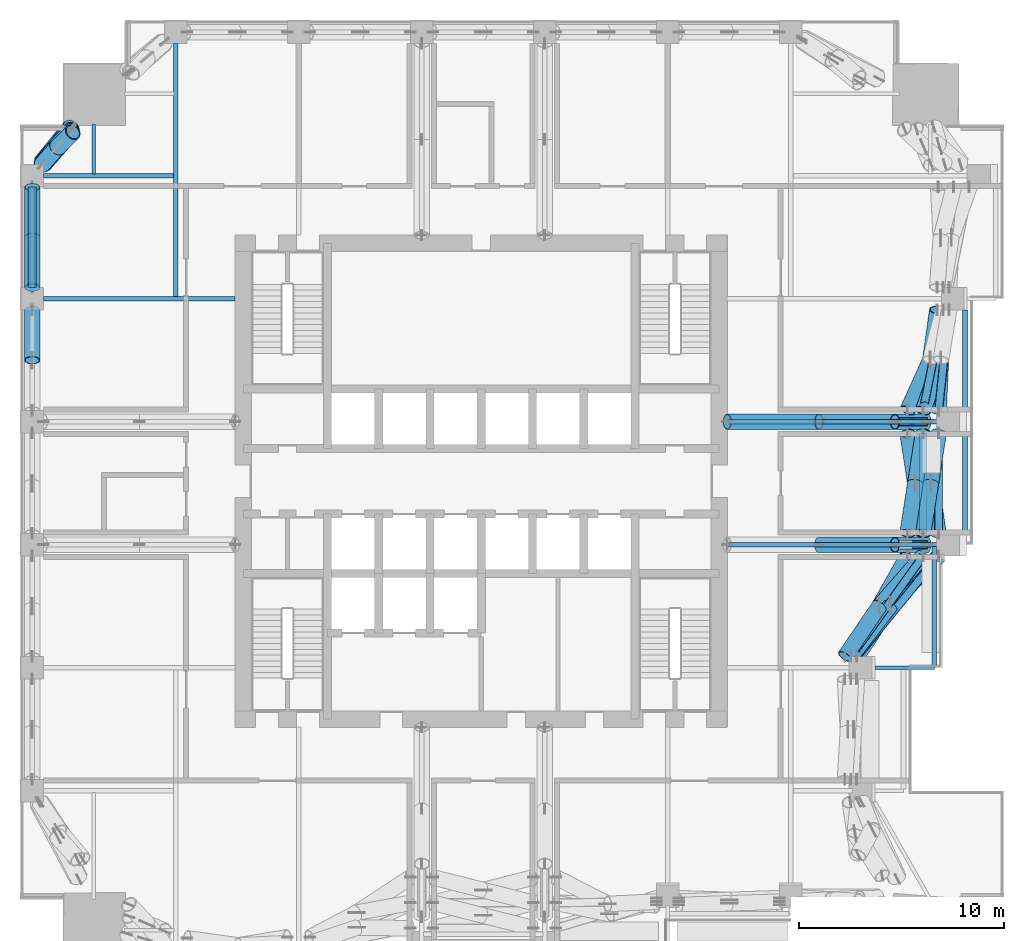
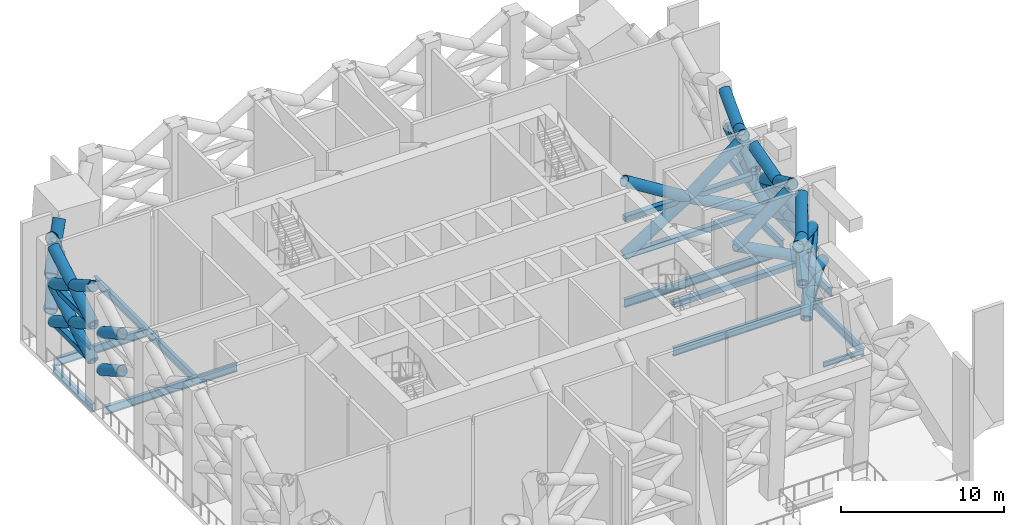
# One storey, part 4 of 19: 36 members, 24 beams.
"""IFC4 building model written with IfcOpenShell, lengths in metres."""

from ifc_helpers import new_model, si_unit, direction, frame, origin, origin_2d, place, context, subcontext, project, spatial, hollow_rectangle, hollow_circle, i_section, extrude, material, material_profile, profile_set, type_object, element, save


model = new_model("IFC4")

# Units and contexts
model_context = context("Model", 3, precision=1e-05, world=origin(), true_north=direction((0.0, 1.0)))
body_context = subcontext(model_context, "Body", "Model", "MODEL_VIEW")
ifc_project = project(units=[si_unit("LENGTHUNIT", "METRE"), si_unit("AREAUNIT", "SQUARE_METRE"), si_unit("VOLUMEUNIT", "CUBIC_METRE"), si_unit("PLANEANGLEUNIT", "RADIAN"), si_unit("MASSUNIT", "GRAM", prefix="KILO")], contexts=[model_context])

# Site, building, storey
site_placement = place(None, origin())
site = spatial("IfcSite", under=ifc_project, at=site_placement, CompositionType="ELEMENT")
building_placement = place(site_placement, origin())
building = spatial("IfcBuilding", under=site, at=building_placement, Name="Amberfall Residences", CompositionType="ELEMENT")
storey_placement = place(building_placement, frame((0.0, 0.0, 124.89990234375)))
storey = spatial("IfcBuildingStorey", under=building, at=storey_placement, Name="L34", CompositionType="ELEMENT", Elevation=124.89990234375)

# Beams
ifc_material = material(Name="Steel S355", Category="steel")
ifc_material_profile_1 = material_profile(ifc_material, hollow_circle(Radius=0.457275390625, WallThickness=0.06005859375, at=origin_2d()), Name="CHS 914.4x60")
ifc_profile_set_1 = profile_set([ifc_material_profile_1], Name="Steel S355")
beam_type_1 = type_object("IfcBeamType", Name="Belt truss chord BT CHS 914.4x60", PredefinedType="BEAM", material=ifc_profile_set_1)
beam_1_placement = place(storey_placement, frame((54.516845703125, 62.7685546875, 3.0), z_axis=(-0.62906312707, -0.777354219234, 0.0), x_axis=(0.777354219234, -0.62906312707, 0.0)))
element("IfcBeam", 1, at=beam_1_placement, inside=storey, type_object=beam_type_1, Name="Belt truss chord BT2 L34 NWW", PredefinedType="BEAM", context=body_context, shape_type="SweptSolid", body=[
    extrude(hollow_circle(Radius=0.457275390625, WallThickness=0.06005859375, at=origin_2d()), origin(), (0.0, 0.0, 1.0), 2.339599609375),
])
beam_2_placement = place(storey_placement, frame((54.550537109375, 62.647216796875, 5.646484375), z_axis=(-0.655484550141, -0.755208583457, 0.0), x_axis=(0.755208583457, -0.655484550141, 0.0)))
element("IfcBeam", 2, at=beam_2_placement, inside=storey, type_object=beam_type_1, Name="Belt truss chord BT2 L34 NWWm", PredefinedType="BEAM", context=body_context, shape_type="SweptSolid", body=[
    extrude(hollow_circle(Radius=0.457275390625, WallThickness=0.06005859375, at=origin_2d()), origin(), (0.0, 0.0, 1.0), 2.247314453125),
])
ifc_material_profile_2 = material_profile(ifc_material, hollow_rectangle(XDim=0.39990234375, YDim=0.39990234375, WallThickness=0.02001953125, InnerFilletRadius=0.02001953125, OuterFilletRadius=0.030029296875, at=origin_2d()), Name="RHS 400x400x20")
ifc_profile_set_2 = profile_set([ifc_material_profile_2], Name="Steel S355")
beam_type_2 = type_object("IfcBeamType", Name="Belt truss chord BT RHS 400x400x20", PredefinedType="BEAM", material=ifc_profile_set_2)
beam_3_placement = place(storey_placement, frame((92.821533203125, 36.949951171875, 2.900146484375), z_axis=(0.631297882766, 0.775540445893, 0.0), x_axis=(-0.775540445893, 0.631297882766, 0.0)))
element("IfcBeam", 3, at=beam_3_placement, inside=storey, type_object=beam_type_2, Name="Belt truss chord BT3 L34 E2", PredefinedType="BEAM", context=body_context, shape_type="SweptSolid", body=[
    extrude(hollow_rectangle(XDim=0.39990234375, YDim=0.39990234375, WallThickness=0.02001953125, InnerFilletRadius=0.02001953125, OuterFilletRadius=0.030029296875, at=origin_2d()), origin(), (0.0, 0.0, 1.0), 6.318359375),
])
beam_4_placement = place(storey_placement, frame((92.53369140625, 36.949951171875, 5.7001953125), z_axis=(0.58336835757, 0.812207707047, 0.0), x_axis=(-0.812207707047, 0.58336835757, 0.0)))
element("IfcBeam", 4, at=beam_4_placement, inside=storey, type_object=beam_type_2, Name="Belt truss chord BT3 L34 E2m", PredefinedType="BEAM", context=body_context, shape_type="SweptSolid", body=[
    extrude(hollow_rectangle(XDim=0.39990234375, YDim=0.39990234375, WallThickness=0.02001953125, InnerFilletRadius=0.02001953125, OuterFilletRadius=0.030029296875, at=origin_2d()), origin(), (0.0, 0.0, 1.0), 6.033203125),
])
for number, where, z_axis, x_axis, name in (
    (5, (96.810302734375, 42.949951171875, 2.900146484375), (0.0, 1.0, 0.0), (-1.0, 0.0, 0.0), "Belt truss chord BT3 L34 E3"),
    (6, (96.05322265625, 42.949951171875, 5.7001953125), (0.0, 1.0, 0.0), (-1.0, 0.0, 0.0), "Belt truss chord BT3 L34 E3m"),
):
    element("IfcBeam", number, at=place(storey_placement, frame(where, z_axis=z_axis, x_axis=x_axis)), inside=storey, type_object=beam_type_2, Name=name, PredefinedType="BEAM", context=body_context, shape_type="SweptSolid", body=[
        extrude(hollow_rectangle(XDim=0.39990234375, YDim=0.39990234375, WallThickness=0.02001953125, InnerFilletRadius=0.02001953125, OuterFilletRadius=0.030029296875, at=origin_2d()), origin(), (0.0, 0.0, 1.0), 4.900146484375),
    ])
beam_5_placement = place(storey_placement, frame((96.810302734375, 48.949951171875, 2.900146484375), z_axis=(0.103766426496, 0.99460169351, 0.0), x_axis=(-0.99460169351, 0.103766426496, 0.0)))
element("IfcBeam", 7, at=beam_5_placement, inside=storey, type_object=beam_type_2, Name="Belt truss chord BT3 L34 E4", PredefinedType="BEAM", context=body_context, shape_type="SweptSolid", body=[
    extrude(hollow_rectangle(XDim=0.39990234375, YDim=0.39990234375, WallThickness=0.02001953125, InnerFilletRadius=0.02001953125, OuterFilletRadius=0.030029296875, at=origin_2d()), origin(), (0.0, 0.0, 1.0), 4.9267578125),
])
beam_6_placement = place(storey_placement, frame((96.05322265625, 48.949951171875, 5.7001953125), z_axis=(0.196200690713, 0.980563760784, 0.0), x_axis=(-0.980563760784, 0.196200690713, 0.0)))
element("IfcBeam", 8, at=beam_6_placement, inside=storey, type_object=beam_type_2, Name="Belt truss chord BT3 L34 E4m", PredefinedType="BEAM", context=body_context, shape_type="SweptSolid", body=[
    extrude(hollow_rectangle(XDim=0.39990234375, YDim=0.39990234375, WallThickness=0.02001953125, InnerFilletRadius=0.02001953125, OuterFilletRadius=0.030029296875, at=origin_2d()), origin(), (0.0, 0.0, 1.0), 4.997314453125),
])
for number, where, z_axis, x_axis, name in (
    (9, (52.60009765625, 54.949951171875, 2.900146484375), (0.0, 1.0, 0.0), (-1.0, 0.0, 0.0), "Belt truss chord BT3 L34 W5"),
    (10, (52.60009765625, 54.949951171875, 5.7001953125), (0.0, 1.0, 0.0), (-1.0, 0.0, 0.0), "Belt truss chord BT3 L34 W5m"),
):
    element("IfcBeam", number, at=place(storey_placement, frame(where, z_axis=z_axis, x_axis=x_axis)), inside=storey, type_object=beam_type_2, Name=name, PredefinedType="BEAM", context=body_context, shape_type="SweptSolid", body=[
        extrude(hollow_rectangle(XDim=0.39990234375, YDim=0.39990234375, WallThickness=0.02001953125, InnerFilletRadius=0.02001953125, OuterFilletRadius=0.030029296875, at=origin_2d()), origin(), (0.0, 0.0, 1.0), 4.900146484375),
    ])

# Members
ifc_material_profile_3 = material_profile(ifc_material, hollow_circle(Radius=0.381103515625, WallThickness=0.0400390625, at=origin_2d()), Name="CHS 762x40")
ifc_profile_set_3 = profile_set([ifc_material_profile_3], Name="Steel S355")
member_type_1 = type_object("IfcMemberType", Name="Belt truss diagonal BT CHS 762x40", PredefinedType="BRACE", material=ifc_profile_set_3)
member_1_placement = place(storey_placement, frame((92.821533203125, 36.949951171875, 2.900146484375), z_axis=(0.496915343761, 0.753462859004, 0.430544842306), x_axis=(-0.834797896039, 0.550556511876, 0.0)))
element("IfcMember", 11, at=member_1_placement, inside=storey, type_object=member_type_1, Name="Belt truss diagonal BT4 L34 E2d", PredefinedType="BRACE", context=body_context, shape_type="SweptSolid", body=[
    extrude(hollow_circle(Radius=0.381103515625, WallThickness=0.0400390625, at=origin_2d()), origin(), (0.0, 0.0, 1.0), 6.50341796875),
])
member_2_placement = place(storey_placement, frame((92.53369140625, 36.949951171875, 5.7001953125), z_axis=(0.56094259354, 0.723305733883, -0.402706123724), x_axis=(-0.790213655451, 0.612831443987, 0.0)))
element("IfcMember", 12, at=member_2_placement, inside=storey, type_object=member_type_1, Name="Belt truss diagonal BT4 L34 E2e", PredefinedType="BRACE", context=body_context, shape_type="SweptSolid", body=[
    extrude(hollow_circle(Radius=0.381103515625, WallThickness=0.0400390625, at=origin_2d()), origin(), (0.0, 0.0, 1.0), 3.431396484375),
])
member_3_placement = place(storey_placement, frame((94.45849609375, 39.431884765625, 4.318359375), z_axis=(0.642702654356, 0.660850180774, -0.387569782949), x_axis=(-0.716881364711, 0.697195172767, 0.0)))
element("IfcMember", 13, at=member_3_placement, inside=storey, type_object=member_type_1, Name="Belt truss diagonal BT4 L34 E2e2", PredefinedType="BRACE", context=body_context, shape_type="SweptSolid", body=[
    extrude(hollow_circle(Radius=0.381103515625, WallThickness=0.0400390625, at=origin_2d()), origin(), (0.0, 0.0, 1.0), 3.6591796875),
])
member_4_placement = place(storey_placement, frame((92.53369140625, 36.949951171875, 5.7001953125), z_axis=(0.439672060785, 0.779838983034, 0.445577871428), x_axis=(-0.871091783775, 0.491120254357, 0.0)))
element("IfcMember", 14, at=member_4_placement, inside=storey, type_object=member_type_1, Name="Belt truss diagonal BT4 L34 E2du", PredefinedType="BRACE", context=body_context, shape_type="SweptSolid", body=[
    extrude(hollow_circle(Radius=0.381103515625, WallThickness=0.0400390625, at=origin_2d()), origin(), (0.0, 0.0, 1.0), 6.283447265625),
])
member_5_placement = place(storey_placement, frame((92.24560546875, 36.949951171875, 8.5), z_axis=(0.510507325748, 0.750632927745, -0.419443057092), x_axis=(-0.826887092018, 0.562367972998, 0.0)))
element("IfcMember", 15, at=member_5_placement, inside=storey, type_object=member_type_1, Name="Belt truss diagonal BT4 L34 E2eu", PredefinedType="BRACE", context=body_context, shape_type="SweptSolid", body=[
    extrude(hollow_circle(Radius=0.381103515625, WallThickness=0.0400390625, at=origin_2d()), origin(), (0.0, 0.0, 1.0), 3.30029296875),
])
member_6_placement = place(storey_placement, frame((93.930419921875, 39.42724609375, 7.11572265625), z_axis=(0.603316882419, 0.688593069709, -0.402303770473), x_axis=(-0.752144594216, 0.658998110309, 0.0)))
element("IfcMember", 16, at=member_6_placement, inside=storey, type_object=member_type_1, Name="Belt truss diagonal BT4 L34 E2e2u", PredefinedType="BRACE", context=body_context, shape_type="SweptSolid", body=[
    extrude(hollow_circle(Radius=0.381103515625, WallThickness=0.0400390625, at=origin_2d()), origin(), (0.0, 0.0, 1.0), 3.5185546875),
])
member_7_placement = place(storey_placement, frame((96.810302734375, 42.949951171875, 2.900146484375), z_axis=(-0.132954375526, 0.860537655975, 0.49172967846), x_axis=(-0.98827415579, -0.152689858856, 0.0)))
element("IfcMember", 17, at=member_7_placement, inside=storey, type_object=member_type_1, Name="Belt truss diagonal BT4 L34 E3d", PredefinedType="BRACE", context=body_context, shape_type="SweptSolid", body=[
    extrude(hollow_circle(Radius=0.381103515625, WallThickness=0.0400390625, at=origin_2d()), origin(), (0.0, 0.0, 1.0), 5.6943359375),
])
for number, where, z_axis, x_axis, name in (
    (18, (96.05322265625, 42.949951171875, 5.7001953125), (0.132914359886, 0.860513291259, -0.491783131576), (-0.988280437465, 0.152649195622, 0.0), "Belt truss diagonal BT4 L34 E3e"),
    (19, (96.431640625, 45.39990234375, 4.300048828125), (0.132994388773, 0.860562015295, -0.491676225159), (-0.988267873148, 0.152730517263, 0.0), "Belt truss diagonal BT4 L34 E3e2"),
):
    element("IfcMember", number, at=place(storey_placement, frame(where, z_axis=z_axis, x_axis=x_axis)), inside=storey, type_object=member_type_1, Name=name, PredefinedType="BRACE", context=body_context, shape_type="SweptSolid", body=[
        extrude(hollow_circle(Radius=0.381103515625, WallThickness=0.0400390625, at=origin_2d()), origin(), (0.0, 0.0, 1.0), 2.84716796875),
    ])
member_8_placement = place(storey_placement, frame((96.05322265625, 42.949951171875, 5.7001953125), z_axis=(-0.132915060532, 0.860560703208, 0.491699972318), x_axis=(-0.9882815848, -0.15264176737, 0.0)))
element("IfcMember", 20, at=member_8_placement, inside=storey, type_object=member_type_1, Name="Belt truss diagonal BT4 L34 E3du", PredefinedType="BRACE", context=body_context, shape_type="SweptSolid", body=[
    extrude(hollow_circle(Radius=0.381103515625, WallThickness=0.0400390625, at=origin_2d()), origin(), (0.0, 0.0, 1.0), 5.694091796875),
])
member_9_placement = place(storey_placement, frame((95.29638671875, 42.949951171875, 8.5), z_axis=(0.132919964882, 0.860549579091, -0.491718115247), x_axis=(-0.988280437465, 0.152649195622, 0.0)))
element("IfcMember", 21, at=member_9_placement, inside=storey, type_object=member_type_1, Name="Belt truss diagonal BT4 L34 E3eu", PredefinedType="BRACE", context=body_context, shape_type="SweptSolid", body=[
    extrude(hollow_circle(Radius=0.381103515625, WallThickness=0.0400390625, at=origin_2d()), origin(), (0.0, 0.0, 1.0), 2.846923828125),
])
member_10_placement = place(storey_placement, frame((95.6748046875, 45.39990234375, 7.10009765625), z_axis=(0.132910156481, 0.860571826094, -0.491681830493), x_axis=(-0.988282731967, 0.152634339831, 0.0)))
element("IfcMember", 22, at=member_10_placement, inside=storey, type_object=member_type_1, Name="Belt truss diagonal BT4 L34 E3e2u", PredefinedType="BRACE", context=body_context, shape_type="SweptSolid", body=[
    extrude(hollow_circle(Radius=0.381103515625, WallThickness=0.0400390625, at=origin_2d()), origin(), (0.0, 0.0, 1.0), 2.84716796875),
])
member_11_placement = place(storey_placement, frame((96.810302734375, 48.949951171875, 2.900146484375), z_axis=(0.039550760172, 0.867566456181, 0.495746085693), x_axis=(-0.99896247666, 0.045540863243, 0.0)))
element("IfcMember", 23, at=member_11_placement, inside=storey, type_object=member_type_1, Name="Belt truss diagonal BT4 L34 E4d", PredefinedType="BRACE", context=body_context, shape_type="SweptSolid", body=[
    extrude(hollow_circle(Radius=0.381103515625, WallThickness=0.0400390625, at=origin_2d()), origin(), (0.0, 0.0, 1.0), 5.648193359375),
])
member_12_placement = place(storey_placement, frame((96.05322265625, 48.949951171875, 5.7001953125), z_axis=(0.293412634072, 0.833202917923, -0.468702382895), x_axis=(-0.943224229603, 0.332156668892, 0.0)))
element("IfcMember", 24, at=member_12_placement, inside=storey, type_object=member_type_1, Name="Belt truss diagonal BT4 L34 E4e", PredefinedType="BRACE", context=body_context, shape_type="SweptSolid", body=[
    extrude(hollow_circle(Radius=0.381103515625, WallThickness=0.0400390625, at=origin_2d()), origin(), (0.0, 0.0, 1.0), 2.9638671875),
])
member_13_placement = place(storey_placement, frame((96.05322265625, 48.949951171875, 5.7001953125), z_axis=(0.121771372391, 0.8618029673, 0.492409766778), x_axis=(-0.990164417067, 0.139908638673, 0.0)))
element("IfcMember", 25, at=member_13_placement, inside=storey, type_object=member_type_1, Name="Belt truss diagonal BT4 L34 E4du", PredefinedType="BRACE", context=body_context, shape_type="SweptSolid", body=[
    extrude(hollow_circle(Radius=0.381103515625, WallThickness=0.0400390625, at=origin_2d()), origin(), (0.0, 0.0, 1.0), 5.68603515625),
])
member_14_placement = place(storey_placement, frame((95.29638671875, 48.949951171875, 8.5), z_axis=(0.363869089882, 0.810117562482, -0.459683391462), x_axis=(-0.912209425601, 0.409724253425, 0.0)))
element("IfcMember", 26, at=member_14_placement, inside=storey, type_object=member_type_1, Name="Belt truss diagonal BT4 L34 E4eu", PredefinedType="BRACE", context=body_context, shape_type="SweptSolid", body=[
    extrude(hollow_circle(Radius=0.381103515625, WallThickness=0.0400390625, at=origin_2d()), origin(), (0.0, 0.0, 1.0), 3.03466796875),
])
for number, where, z_axis, x_axis, name in (
    (27, (52.60009765625, 51.39990234375, 4.300048828125), (0.0, 0.868275084713, -0.49608303465), (-1.0, 0.0, 0.0), "Belt truss diagonal BT4 L34 W4e2"),
    (28, (52.60009765625, 51.39990234375, 7.10009765625), (0.0, 0.868275084713, -0.49608303465), (-1.0, 0.0, 0.0), "Belt truss diagonal BT4 L34 W4e2u"),
):
    element("IfcMember", number, at=place(storey_placement, frame(where, z_axis=z_axis, x_axis=x_axis)), inside=storey, type_object=member_type_1, Name=name, PredefinedType="BRACE", context=body_context, shape_type="SweptSolid", body=[
        extrude(hollow_circle(Radius=0.381103515625, WallThickness=0.0400390625, at=origin_2d()), origin(), (0.0, 0.0, 1.0), 2.822021484375),
    ])
member_15_placement = place(storey_placement, frame((52.60009765625, 54.949951171875, 2.900146484375), z_axis=(0.0, 0.868245804187, 0.496134279718), x_axis=(-1.0, 0.0, 0.0)))
element("IfcMember", 29, at=member_15_placement, inside=storey, type_object=member_type_1, Name="Belt truss diagonal BT4 L34 W5d", PredefinedType="BRACE", context=body_context, shape_type="SweptSolid", body=[
    extrude(hollow_circle(Radius=0.381103515625, WallThickness=0.0400390625, at=origin_2d()), origin(), (0.0, 0.0, 1.0), 5.643798828125),
])
member_16_placement = place(storey_placement, frame((52.60009765625, 54.949951171875, 5.7001953125), z_axis=(0.0, 0.868216519694, -0.496185524708), x_axis=(-1.0, 0.0, 0.0)))
element("IfcMember", 30, at=member_16_placement, inside=storey, type_object=member_type_1, Name="Belt truss diagonal BT4 L34 W5e", PredefinedType="BRACE", context=body_context, shape_type="SweptSolid", body=[
    extrude(hollow_circle(Radius=0.381103515625, WallThickness=0.0400390625, at=origin_2d()), origin(), (0.0, 0.0, 1.0), 2.82177734375),
])
member_17_placement = place(storey_placement, frame((52.60009765625, 57.39990234375, 4.300048828125), z_axis=(0.0, 0.868275084713, -0.49608303465), x_axis=(-1.0, 0.0, 0.0)))
element("IfcMember", 31, at=member_17_placement, inside=storey, type_object=member_type_1, Name="Belt truss diagonal BT4 L34 W5e2", PredefinedType="BRACE", context=body_context, shape_type="SweptSolid", body=[
    extrude(hollow_circle(Radius=0.381103515625, WallThickness=0.0400390625, at=origin_2d()), origin(), (0.0, 0.0, 1.0), 2.822021484375),
])
member_18_placement = place(storey_placement, frame((52.60009765625, 54.949951171875, 5.7001953125), z_axis=(0.0, 0.868264438383, 0.496101668047), x_axis=(-1.0, 0.0, 0.0)))
element("IfcMember", 32, at=member_18_placement, inside=storey, type_object=member_type_1, Name="Belt truss diagonal BT4 L34 W5du", PredefinedType="BRACE", context=body_context, shape_type="SweptSolid", body=[
    extrude(hollow_circle(Radius=0.381103515625, WallThickness=0.0400390625, at=origin_2d()), origin(), (0.0, 0.0, 1.0), 5.6435546875),
])
member_19_placement = place(storey_placement, frame((52.60009765625, 54.949951171875, 8.5), z_axis=(0.0, 0.868253790854, -0.496120302616), x_axis=(-1.0, 0.0, 0.0)))
element("IfcMember", 33, at=member_19_placement, inside=storey, type_object=member_type_1, Name="Belt truss diagonal BT4 L34 W5eu", PredefinedType="BRACE", context=body_context, shape_type="SweptSolid", body=[
    extrude(hollow_circle(Radius=0.381103515625, WallThickness=0.0400390625, at=origin_2d()), origin(), (0.0, 0.0, 1.0), 2.82177734375),
])
member_20_placement = place(storey_placement, frame((52.60009765625, 57.39990234375, 7.10009765625), z_axis=(0.0, 0.868275084713, -0.49608303465), x_axis=(-1.0, 0.0, 0.0)))
element("IfcMember", 34, at=member_20_placement, inside=storey, type_object=member_type_1, Name="Belt truss diagonal BT4 L34 W5e2u", PredefinedType="BRACE", context=body_context, shape_type="SweptSolid", body=[
    extrude(hollow_circle(Radius=0.381103515625, WallThickness=0.0400390625, at=origin_2d()), origin(), (0.0, 0.0, 1.0), 2.822021484375),
])
ifc_material_profile_4 = material_profile(ifc_material, hollow_circle(Radius=0.406494140625, WallThickness=0.050048828125, at=origin_2d()), Name="CHS 813x50")
ifc_profile_set_4 = profile_set([ifc_material_profile_4], Name="Steel S355")
member_type_2 = type_object("IfcMemberType", Name="Belt truss diagonal BT CHS 813x50", PredefinedType="BRACE", material=ifc_profile_set_4)
member_21_placement = place(storey_placement, frame((54.516845703125, 62.7685546875, 3.0), z_axis=(-0.409054024214, -0.516798410172, 0.752059976676), x_axis=(0.784103451686, -0.620630145139, 0.0)))
element("IfcMember", 35, at=member_21_placement, inside=storey, type_object=member_type_2, Name="Belt truss diagonal BT5 L34 NWWd", PredefinedType="BRACE", context=body_context, shape_type="SweptSolid", body=[
    extrude(hollow_circle(Radius=0.406494140625, WallThickness=0.050048828125, at=origin_2d()), origin(), (0.0, 0.0, 1.0), 3.51904296875),
])
member_22_placement = place(storey_placement, frame((54.550537109375, 62.647216796875, 5.646484375), z_axis=(-0.449432180659, -0.472003790495, -0.758434662148), x_axis=(0.724210904157, -0.689578542517, 0.0)))
element("IfcMember", 36, at=member_22_placement, inside=storey, type_object=member_type_2, Name="Belt truss diagonal BT5 L34 NWWe", PredefinedType="BRACE", context=body_context, shape_type="SweptSolid", body=[
    extrude(hollow_circle(Radius=0.406494140625, WallThickness=0.050048828125, at=origin_2d()), origin(), (0.0, 0.0, 1.0), 1.708984375),
])
member_23_placement = place(storey_placement, frame((53.782470703125, 61.840576171875, 4.350341796875), z_axis=(-0.414749619184, -0.500995566484, -0.759596074075), x_axis=(0.770294173094, -0.637688706892, 0.0)))
element("IfcMember", 37, at=member_23_placement, inside=storey, type_object=member_type_2, Name="Belt truss diagonal BT5 L34 NWWe2", PredefinedType="BRACE", context=body_context, shape_type="SweptSolid", body=[
    extrude(hollow_circle(Radius=0.406494140625, WallThickness=0.050048828125, at=origin_2d()), origin(), (0.0, 0.0, 1.0), 1.77783203125),
])
member_24_placement = place(storey_placement, frame((54.550537109375, 62.647216796875, 5.646484375), z_axis=(-0.416287524651, -0.49084648429, 0.765359017507), x_axis=(0.762653434366, -0.64680734307, 0.0)))
element("IfcMember", 38, at=member_24_placement, inside=storey, type_object=member_type_2, Name="Belt truss diagonal BT5 L34 NWWdu", PredefinedType="BRACE", context=body_context, shape_type="SweptSolid", body=[
    extrude(hollow_circle(Radius=0.406494140625, WallThickness=0.050048828125, at=origin_2d()), origin(), (0.0, 0.0, 1.0), 3.457763671875),
])
member_25_placement = place(storey_placement, frame((54.57763671875, 62.528076171875, 8.29296875), z_axis=(-0.454130017702, -0.445547804043, -0.771526461849), x_axis=(0.700329679647, -0.713819542886, 0.0)))
element("IfcMember", 39, at=member_25_placement, inside=storey, type_object=member_type_2, Name="Belt truss diagonal BT5 L34 NWWeu", PredefinedType="BRACE", context=body_context, shape_type="SweptSolid", body=[
    extrude(hollow_circle(Radius=0.406494140625, WallThickness=0.050048828125, at=origin_2d()), origin(), (0.0, 0.0, 1.0), 1.678466796875),
])
member_26_placement = place(storey_placement, frame((53.8154296875, 61.7802734375, 6.998046875), z_axis=(-0.421848800688, -0.474597344075, -0.772528931727), x_axis=(0.747421443536, -0.664350198121, 0.0)))
element("IfcMember", 40, at=member_26_placement, inside=storey, type_object=member_type_2, Name="Belt truss diagonal BT5 L34 NWWe2u", PredefinedType="BRACE", context=body_context, shape_type="SweptSolid", body=[
    extrude(hollow_circle(Radius=0.406494140625, WallThickness=0.050048828125, at=origin_2d()), origin(), (0.0, 0.0, 1.0), 1.74951171875),
])

# Beams
ifc_material_profile_5 = material_profile(ifc_material, i_section(OverallWidth=0.171142578125, OverallDepth=0.351318359375, WebThickness=0.007080078125, FlangeThickness=0.009765625, FilletRadius=0.01025390625, at=origin_2d()), Name="UB 356x171x45")
ifc_profile_set_5 = profile_set([ifc_material_profile_5], Name="Steel S355")
beam_type_3 = type_object("IfcBeamType", Name="Cantilever girder UB 356x171x45", PredefinedType="BEAM", material=ifc_profile_set_5)
beam_7_placement = place(storey_placement, frame((93.699951171875, 36.39990234375, -0.525634765625), z_axis=(1.0, 0.0, 0.0), x_axis=(0.0, 1.0, 0.0)))
element("IfcBeam", 41, at=beam_7_placement, inside=storey, type_object=beam_type_3, Name="Cantilever girder B8 L34 21", PredefinedType="BEAM", context=body_context, shape_type="SweptSolid", body=[
    extrude(i_section(OverallWidth=0.171142578125, OverallDepth=0.351318359375, WebThickness=0.007080078125, FlangeThickness=0.009765625, FilletRadius=0.01025390625, at=origin_2d()), origin(), (0.0, 0.0, 1.0), 2.900146484375),
])
ifc_material_profile_6 = material_profile(ifc_material, i_section(OverallWidth=0.228271484375, OverallDepth=0.607666015625, WebThickness=0.010986328125, FlangeThickness=0.017333984375, FilletRadius=0.0126953125, at=origin_2d()), Name="UB 610x229x113")
ifc_profile_set_6 = profile_set([ifc_material_profile_6], Name="Steel S355")
beam_type_4 = type_object("IfcBeamType", Name="Edge beam UB 610x229x113", PredefinedType="SPANDREL", material=ifc_profile_set_6)
beam_8_placement = place(storey_placement, frame((96.60009765625, 36.47998046875, -0.65380859375), z_axis=(0.0, 1.0, 0.0), x_axis=(-1.0, 0.0, 0.0)))
element("IfcBeam", 42, at=beam_8_placement, inside=storey, type_object=beam_type_4, Name="Edge beam B12 L34 16", PredefinedType="SPANDREL", context=body_context, shape_type="SweptSolid", body=[
    extrude(i_section(OverallWidth=0.228271484375, OverallDepth=0.607666015625, WebThickness=0.010986328125, FlangeThickness=0.017333984375, FilletRadius=0.0126953125, at=origin_2d()), origin(), (0.0, 0.0, 1.0), 5.840087890625),
])
for number, where, z_axis, x_axis, name in (
    (43, (98.10009765625, 42.949951171875, -0.65380859375), (0.0, 1.0, 0.0), (-1.0, 0.0, 0.0), "Edge beam B12 L34 17"),
    (44, (98.10009765625, 48.949951171875, -0.65380859375), (0.0, 1.0, 0.0), (-1.0, 0.0, 0.0), "Edge beam B12 L34 18"),
    (45, (52.60009765625, 54.949951171875, -0.65380859375), (0.0, 1.0, 0.0), (-1.0, 0.0, 0.0), "Edge beam B12 L34 44"),
):
    element("IfcBeam", number, at=place(storey_placement, frame(where, z_axis=z_axis, x_axis=x_axis)), inside=storey, type_object=beam_type_4, Name=name, PredefinedType="SPANDREL", context=body_context, shape_type="SweptSolid", body=[
        extrude(i_section(OverallWidth=0.228271484375, OverallDepth=0.607666015625, WebThickness=0.010986328125, FlangeThickness=0.017333984375, FilletRadius=0.0126953125, at=origin_2d()), origin(), (0.0, 0.0, 1.0), 4.900146484375),
    ])
ifc_material_profile_7 = material_profile(ifc_material, i_section(OverallWidth=0.230224609375, OverallDepth=0.6171875, WebThickness=0.01318359375, FlangeThickness=0.022216796875, FilletRadius=0.0126953125, at=origin_2d()), Name="UB 610x229x140")
ifc_profile_set_7 = profile_set([ifc_material_profile_7], Name="Steel S355")
beam_type_5 = type_object("IfcBeamType", Name="Floor girder UB 610x229x140", PredefinedType="BEAM", material=ifc_profile_set_7)
for number, where, z_axis, x_axis, name in (
    (46, (97.10009765625, 42.39990234375, -0.658447265625), (-1.0, 0.0, 0.0), (0.0, -1.0, 0.0), "Floor girder B13 L34 25"),
    (47, (97.10009765625, 48.39990234375, -0.658447265625), (-1.0, 0.0, 0.0), (0.0, -1.0, 0.0), "Floor girder B13 L34 26"),
):
    element("IfcBeam", number, at=place(storey_placement, frame(where, z_axis=z_axis, x_axis=x_axis)), inside=storey, type_object=beam_type_5, Name=name, PredefinedType="BEAM", context=body_context, shape_type="SweptSolid", body=[
        extrude(i_section(OverallWidth=0.230224609375, OverallDepth=0.6171875, WebThickness=0.01318359375, FlangeThickness=0.022216796875, FilletRadius=0.0126953125, at=origin_2d()), origin(), (0.0, 0.0, 1.0), 10.60009765625),
    ])
beam_9_placement = place(storey_placement, frame((59.60009765625, 66.85009765625, -0.658447265625), z_axis=(0.0, -1.0, 0.0), x_axis=(1.0, 0.0, 0.0)))
element("IfcBeam", 48, at=beam_9_placement, inside=storey, type_object=beam_type_5, Name="Floor girder B13 L34 34", PredefinedType="BEAM", context=body_context, shape_type="SweptSolid", body=[
    extrude(i_section(OverallWidth=0.230224609375, OverallDepth=0.6171875, WebThickness=0.01318359375, FlangeThickness=0.022216796875, FilletRadius=0.0126953125, at=origin_2d()), origin(), (0.0, 0.0, 1.0), 12.340087890625),
])
beam_10_placement = place(storey_placement, frame((53.14990234375, 54.39990234375, -0.658447265625), z_axis=(1.0, 0.0, 0.0), x_axis=(0.0, 1.0, 0.0)))
element("IfcBeam", 49, at=beam_10_placement, inside=storey, type_object=beam_type_5, Name="Floor girder B13 L34 49", PredefinedType="BEAM", context=body_context, shape_type="SweptSolid", body=[
    extrude(i_section(OverallWidth=0.230224609375, OverallDepth=0.6171875, WebThickness=0.01318359375, FlangeThickness=0.022216796875, FilletRadius=0.0126953125, at=origin_2d()), origin(), (0.0, 0.0, 1.0), 9.35009765625),
])
beam_11_placement = place(storey_placement, frame((53.14990234375, 60.39990234375, -0.658447265625), z_axis=(1.0, 0.0, 0.0), x_axis=(0.0, 1.0, 0.0)))
element("IfcBeam", 50, at=beam_11_placement, inside=storey, type_object=beam_type_5, Name="Floor girder B13 L34 50", PredefinedType="BEAM", context=body_context, shape_type="SweptSolid", body=[
    extrude(i_section(OverallWidth=0.230224609375, OverallDepth=0.6171875, WebThickness=0.01318359375, FlangeThickness=0.022216796875, FilletRadius=0.0126953125, at=origin_2d()), origin(), (0.0, 0.0, 1.0), 6.330078125),
])
ifc_material_profile_8 = material_profile(ifc_material, i_section(OverallWidth=0.171142578125, OverallDepth=0.351318359375, WebThickness=0.007080078125, FlangeThickness=0.009765625, FilletRadius=0.01025390625, at=origin_2d()), Name="UB 356x171x45")
ifc_profile_set_8 = profile_set([ifc_material_profile_8], Name="Steel S355")
beam_type_6 = type_object("IfcBeamType", Name="Link beam UB 356x171x45", PredefinedType="BEAM", material=ifc_profile_set_8)
beam_12_placement = place(storey_placement, frame((55.60009765625, 62.89990234375, -0.525634765625), z_axis=(0.0, -1.0, 0.0), x_axis=(1.0, 0.0, 0.0)))
element("IfcBeam", 51, at=beam_12_placement, inside=storey, type_object=beam_type_6, Name="Link beam B7 L34 59", PredefinedType="BEAM", context=body_context, shape_type="SweptSolid", body=[
    extrude(i_section(OverallWidth=0.171142578125, OverallDepth=0.351318359375, WebThickness=0.007080078125, FlangeThickness=0.009765625, FilletRadius=0.01025390625, at=origin_2d()), origin(), (0.0, 0.0, 1.0), 2.4208984375),
])
ifc_material_profile_9 = material_profile(ifc_material, hollow_rectangle(XDim=0.39990234375, YDim=0.39990234375, WallThickness=0.02001953125, InnerFilletRadius=0.02001953125, OuterFilletRadius=0.030029296875, at=origin_2d()), Name="RHS 400x400x20")
ifc_profile_set_9 = profile_set([ifc_material_profile_9], Name="Steel S355")
beam_type_7 = type_object("IfcBeamType", Name="Outrigger truss chord OT RHS 400x400x20", PredefinedType="BEAM", material=ifc_profile_set_9)
for number, where, z_axis, x_axis, name in (
    (52, (96.26025390625, 42.39990234375, 2.900146484375), (-1.0, 0.0, 0.0), (0.0, -1.0, 0.0), "Outrigger truss chord OT2 L34 7"),
    (53, (96.26025390625, 48.39990234375, 2.900146484375), (-1.0, 0.0, 0.0), (0.0, -1.0, 0.0), "Outrigger truss chord OT2 L34 8"),
):
    element("IfcBeam", number, at=place(storey_placement, frame(where, z_axis=z_axis, x_axis=x_axis)), inside=storey, type_object=beam_type_7, Name=name, PredefinedType="BEAM", context=body_context, shape_type="SweptSolid", body=[
        extrude(hollow_rectangle(XDim=0.39990234375, YDim=0.39990234375, WallThickness=0.02001953125, InnerFilletRadius=0.02001953125, OuterFilletRadius=0.030029296875, at=origin_2d()), origin(), (0.0, 0.0, 1.0), 9.76025390625),
    ])
beam_13_placement = place(storey_placement, frame((95.50341796875, 48.39990234375, 5.7001953125), z_axis=(-1.0, 0.0, 0.0), x_axis=(0.0, -1.0, 0.0)))
element("IfcBeam", 54, at=beam_13_placement, inside=storey, type_object=beam_type_7, Name="Outrigger truss chord OT2 L34 8m", PredefinedType="BEAM", context=body_context, shape_type="SweptSolid", body=[
    extrude(hollow_rectangle(XDim=0.39990234375, YDim=0.39990234375, WallThickness=0.02001953125, InnerFilletRadius=0.02001953125, OuterFilletRadius=0.030029296875, at=origin_2d()), origin(), (0.0, 0.0, 1.0), 9.00341796875),
])

# Members
ifc_material_profile_10 = material_profile(ifc_material, hollow_circle(Radius=0.381103515625, WallThickness=0.0400390625, at=origin_2d()), Name="CHS 762x40")
ifc_profile_set_10 = profile_set([ifc_material_profile_10], Name="Steel S355")
member_type_3 = type_object("IfcMemberType", Name="Outrigger truss diagonal OT CHS 762x40", PredefinedType="BRACE", material=ifc_profile_set_10)
member_27_placement = place(storey_placement, frame((96.26025390625, 42.39990234375, 2.900146484375), z_axis=(-0.883289257679, 0.0, 0.46882841986), x_axis=(0.0, -1.0, 0.0)))
element("IfcMember", 55, at=member_27_placement, inside=storey, type_object=member_type_3, Name="Outrigger truss diagonal OT3 L34 7.1", PredefinedType="BRACE", context=body_context, shape_type="SweptSolid", body=[
    extrude(hollow_circle(Radius=0.381103515625, WallThickness=0.0400390625, at=origin_2d()), origin(), (0.0, 0.0, 1.0), 5.972412109375),
])
member_28_placement = place(storey_placement, frame((94.6787109375, 42.39990234375, 8.5), z_axis=(-0.796943078227, 0.0, -0.604054409855), x_axis=(0.0, -1.0, 0.0)))
element("IfcMember", 56, at=member_28_placement, inside=storey, type_object=member_type_3, Name="Outrigger truss diagonal OT3 L34 7.1u", PredefinedType="BRACE", context=body_context, shape_type="SweptSolid", body=[
    extrude(hollow_circle(Radius=0.381103515625, WallThickness=0.0400390625, at=origin_2d()), origin(), (0.0, 0.0, 1.0), 4.635009765625),
])
member_29_placement = place(storey_placement, frame((96.26025390625, 48.39990234375, 2.900146484375), z_axis=(-0.883289257679, 0.0, 0.46882841986), x_axis=(0.0, -1.0, 0.0)))
element("IfcMember", 57, at=member_29_placement, inside=storey, type_object=member_type_3, Name="Outrigger truss diagonal OT3 L34 8.1", PredefinedType="BRACE", context=body_context, shape_type="SweptSolid", body=[
    extrude(hollow_circle(Radius=0.381103515625, WallThickness=0.0400390625, at=origin_2d()), origin(), (0.0, 0.0, 1.0), 5.972412109375),
])
member_30_placement = place(storey_placement, frame((90.98486328125, 48.39990234375, 5.7001953125), z_axis=(-0.848252433658, 0.0, -0.529592115494), x_axis=(0.0, -1.0, 0.0)))
element("IfcMember", 58, at=member_30_placement, inside=storey, type_object=member_type_3, Name="Outrigger truss diagonal OT3 L34 8.2", PredefinedType="BRACE", context=body_context, shape_type="SweptSolid", body=[
    extrude(hollow_circle(Radius=0.381103515625, WallThickness=0.0400390625, at=origin_2d()), origin(), (0.0, 0.0, 1.0), 5.287109375),
])
member_31_placement = place(storey_placement, frame((94.6787109375, 48.39990234375, 8.5), z_axis=(-0.796943078227, 0.0, -0.604054409855), x_axis=(0.0, -1.0, 0.0)))
element("IfcMember", 59, at=member_31_placement, inside=storey, type_object=member_type_3, Name="Outrigger truss diagonal OT3 L34 8.1u", PredefinedType="BRACE", context=body_context, shape_type="SweptSolid", body=[
    extrude(hollow_circle(Radius=0.381103515625, WallThickness=0.0400390625, at=origin_2d()), origin(), (0.0, 0.0, 1.0), 4.635009765625),
])
member_32_placement = place(storey_placement, frame((90.98486328125, 48.39990234375, 5.7001953125), z_axis=(-0.848273177041, 0.0, 0.529558889184), x_axis=(0.0, -1.0, 0.0)))
element("IfcMember", 60, at=member_32_placement, inside=storey, type_object=member_type_3, Name="Outrigger truss diagonal OT3 L34 8.2u", PredefinedType="BRACE", context=body_context, shape_type="SweptSolid", body=[
    extrude(hollow_circle(Radius=0.381103515625, WallThickness=0.0400390625, at=origin_2d()), origin(), (0.0, 0.0, 1.0), 5.287109375),
])

save(model, "model.ifc")
